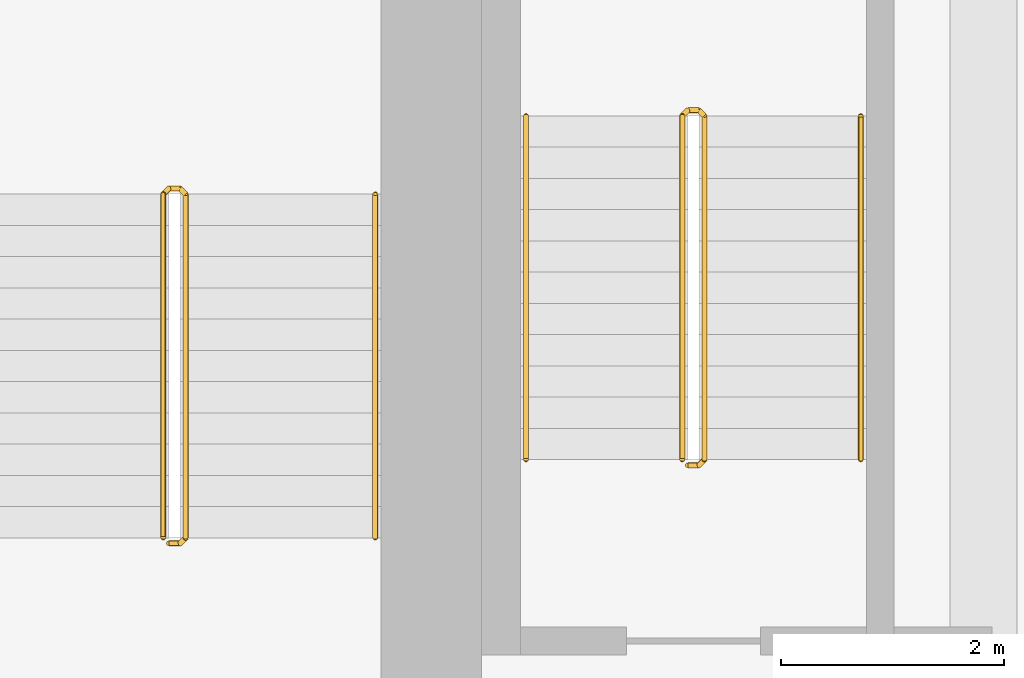
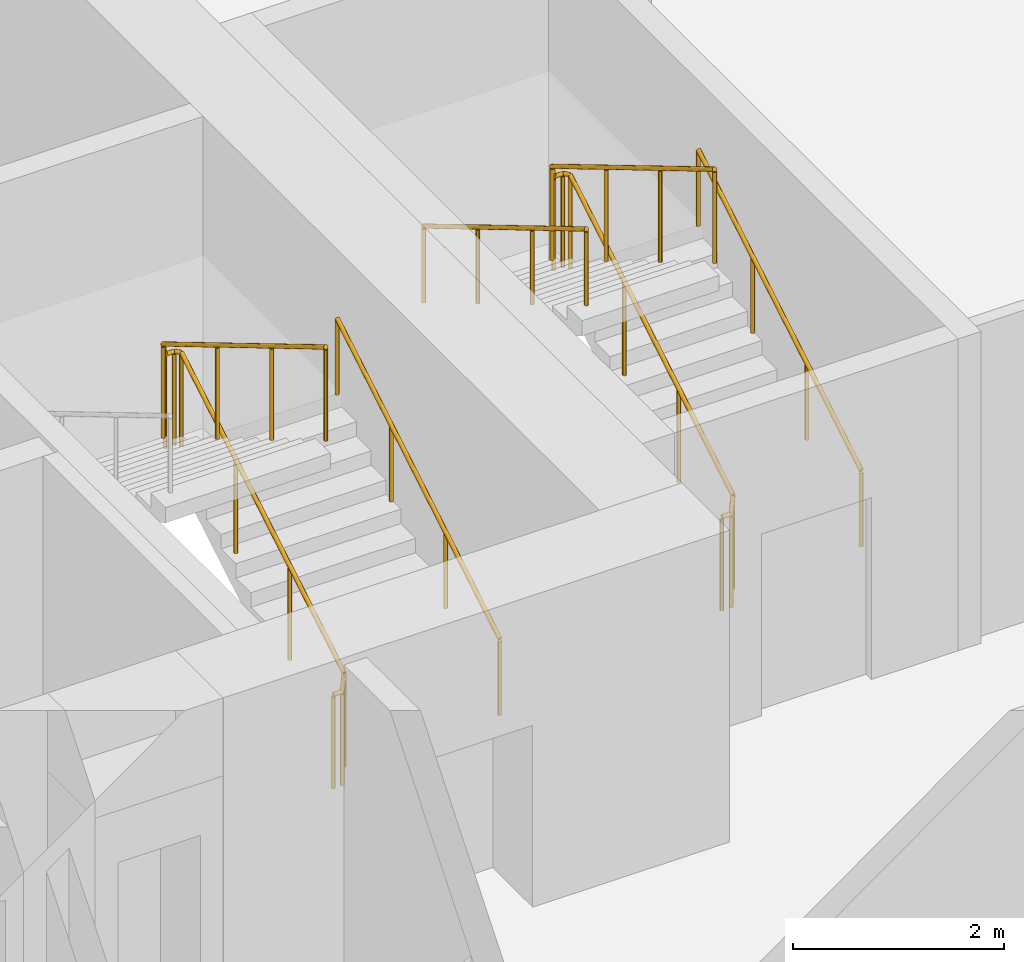
# One storey, part 19 of 19: 5 railings.
"""IFC4 building model written with IfcOpenShell, lengths in metres."""

import ifcopenshell
import ifcopenshell.guid

model = None  # the IFC model being written
_history = None  # IfcOwnerHistory: only IFC2X3 demands one
_inside = {}  # id of a spatial element -> (the spatial element, [elements in it])
_under = {}  # id of a project, library or spatial element -> (it, [spatial elements below it])
_declared = {}  # id of a project -> (the project, [libraries it declares])
_typed = {}  # id of a type object -> (the type object, [elements of that type])
_made_of = {}  # id of a material, layer set ... -> (it, [elements and type objects made of it])


def new_model(schema):
    """Start an empty IFC model of exactly this schema.

    Asked for "IFC4X3", IfcOpenShell would pick the latest addendum, in which some entities
    have other attributes; the version numbers below select the first issue.
    IFC2X3 requires an IfcOwnerHistory on every rooted entity: one is made here for all.
    """
    global model, _history
    if schema == "IFC4X3":
        model = ifcopenshell.file(schema_version=(4, 3, 0, 0))
    else:
        model = ifcopenshell.file(schema=schema)
    _inside.clear()
    _under.clear()
    _declared.clear()
    _typed.clear()
    _made_of.clear()
    _history = None
    if model.schema == "IFC2X3":
        org = make("IfcOrganization", Name="unknown")
        user = make(
            "IfcPersonAndOrganization",
            ThePerson=make("IfcPerson", FamilyName="unknown"),
            TheOrganization=org,
        )
        app = make(
            "IfcApplication",
            ApplicationDeveloper=org,
            Version="unknown",
            ApplicationFullName="unknown",
            ApplicationIdentifier="unknown",
        )
        _history = make(
            "IfcOwnerHistory",
            OwningUser=user,
            OwningApplication=app,
            ChangeAction="ADDED",
            CreationDate=0,
        )
    return model


def make(cls, **values):
    """One entity of the class cls with the attributes given. An attribute that is None is left unset."""
    return model.create_entity(
        cls, **{name: value for name, value in values.items() if value is not None}
    )


def rooted(cls, **values):
    """An entity with a GlobalId (a new one), such as an element, a storey or a relation."""
    return make(cls, GlobalId=ifcopenshell.guid.new(), OwnerHistory=_history, **values)


def si_unit(unit_type, name, prefix=None):
    """IfcSIUnit, for example si_unit("LENGTHUNIT", "METRE", prefix="MILLI")."""
    return make("IfcSIUnit", UnitType=unit_type, Prefix=prefix, Name=name)


def assignment(units):
    """IfcUnitAssignment: the units of a project."""
    return None if units is None else make("IfcUnitAssignment", Units=units)


def point(xyz):
    """IfcCartesianPoint."""
    return None if xyz is None else make("IfcCartesianPoint", Coordinates=xyz)


def direction(xyz):
    """IfcDirection."""
    return None if xyz is None else make("IfcDirection", DirectionRatios=xyz)


def frame(location, z_axis=None, x_axis=None):
    """IfcAxis2Placement3D, a coordinate frame: its origin and axes. An axis left out is left unset."""
    return make(
        "IfcAxis2Placement3D",
        Location=point(location),
        Axis=direction(z_axis),
        RefDirection=direction(x_axis),
    )


def frame_2d(location, x_axis=None):
    """IfcAxis2Placement2D, a coordinate frame in the plane: its origin and x axis."""
    return make(
        "IfcAxis2Placement2D", Location=point(location), RefDirection=direction(x_axis)
    )


def origin():
    """The frame at (0, 0, 0) with its axes left unset."""
    return frame((0.0, 0.0, 0.0))


def origin_2d():
    """The frame at (0, 0) in the plane with its x axis left unset."""
    return frame_2d((0.0, 0.0))


def place(relative_to, where):
    """IfcLocalPlacement: puts the frame where relative to a parent placement (None: the world)."""
    return make(
        "IfcLocalPlacement", PlacementRelTo=relative_to, RelativePlacement=where
    )


def context(
    kind, dimensions, precision=None, world=None, true_north=None, identifier=None
):
    """IfcGeometricRepresentationContext, for example the 3D "Model" context."""
    return make(
        "IfcGeometricRepresentationContext",
        ContextIdentifier=identifier,
        ContextType=kind,
        CoordinateSpaceDimension=dimensions,
        Precision=precision,
        WorldCoordinateSystem=world,
        TrueNorth=true_north,
    )


def subcontext(parent, identifier, kind, view, scale=None):
    """IfcGeometricRepresentationSubContext, for example "Body" below "Model"."""
    return make(
        "IfcGeometricRepresentationSubContext",
        ContextIdentifier=identifier,
        ContextType=kind,
        ParentContext=parent,
        TargetScale=scale,
        TargetView=view,
    )


def project(units=None, contexts=None):
    """IfcProject with its units and contexts."""
    return rooted(
        "IfcProject",
        Name="project",
        RepresentationContexts=contexts,
        UnitsInContext=assignment(units),
    )


def spatial(cls, under=None, at=None, **own):
    """A site, building, storey or space (cls), placed at a placement, below another one or the project."""
    s = rooted(cls, ObjectPlacement=at, **own)
    if under is not None:
        _under.setdefault(under.id(), (under, []))[1].append(s)
    return s


def profile(cls, at=None, kind="AREA", **sizes):
    """A parametric profile (cls). Its sizes go by their IFC names, for example OverallWidth=200.0."""
    return make(cls, ProfileType=kind, Position=at, **sizes)


def circle(**sizes):
    """IfcCircleProfileDef."""
    return profile("IfcCircleProfileDef", **sizes)


def extrude(swept, where, along, depth):
    """IfcExtrudedAreaSolid: the profile swept, set in the frame where, extruded along a direction by depth."""
    return make(
        "IfcExtrudedAreaSolid",
        SweptArea=swept,
        Position=where,
        ExtrudedDirection=direction(along),
        Depth=depth,
    )


def shape(context_of_items, identifier, shape_type, items):
    """IfcShapeRepresentation: the items that make up one representation, for example the "Body"."""
    return make(
        "IfcShapeRepresentation",
        ContextOfItems=context_of_items,
        RepresentationIdentifier=identifier,
        RepresentationType=shape_type,
        Items=items,
    )


def material(Name=None, Category=None):
    """IfcMaterial."""
    return make("IfcMaterial", Name=Name, Category=Category)


def made_of(thing, what):
    """Note that an element or type object is made of a material, layer set ...; save() writes the relation."""
    if what is not None:
        _made_of.setdefault(what.id(), (what, []))[1].append(thing)
    return thing


def type_object(cls, material=None, **own):
    """A type object (cls), such as IfcWallType, which elements share."""
    return made_of(rooted(cls, **own), material)


def element(
    cls,
    number,
    at=None,
    inside=None,
    cuts=None,
    type_object=None,
    material=None,
    context=None,
    identifier="Body",
    shape_type=None,
    held_by="IfcProductDefinitionShape",
    body=None,
    shapes=None,
    **own,
):
    """One element of the class cls, such as IfcWall. Its Tag is "e" and its number.

    at: its placement. inside: the storey or other place that contains it. cuts: it is an
    opening in that element (IfcRelVoidsElement). A single representation is given by context,
    identifier, shape_type and body (its items); several are given by shapes. held_by: the class
    of the entity that holds the representations. save() writes the other relations.
    """
    e = rooted(cls, Tag="e%d" % number, ObjectPlacement=at, **own)
    if body is not None:
        shapes = [shape(context, identifier, shape_type, body)]
    if shapes is not None:
        e.Representation = make(held_by, Representations=shapes)
    if inside is not None:
        _inside.setdefault(inside.id(), (inside, []))[1].append(e)
    if cuts is not None:
        rooted(
            "IfcRelVoidsElement", RelatingBuildingElement=cuts, RelatedOpeningElement=e
        )
    if type_object is not None:
        _typed.setdefault(type_object.id(), (type_object, []))[1].append(e)
    return made_of(e, material)


def aggregate(whole, parts):
    """IfcRelAggregates: a whole, such as a stair, and the parts it consists of."""
    return rooted("IfcRelAggregates", RelatingObject=whole, RelatedObjects=parts)


def save(model, path):
    """Write the relations noted so far, then the file.

    IfcRelAggregates (storeys below a building ...), IfcRelContainedInSpatialStructure (elements
    in a storey), IfcRelDefinesByType, IfcRelAssociatesMaterial and IfcRelDeclares: one each for
    every whole, place, type object, material and project.
    """
    for whole, parts in _under.values():
        aggregate(whole, parts)
    for where, things in _inside.values():
        rooted(
            "IfcRelContainedInSpatialStructure",
            RelatedElements=things,
            RelatingStructure=where,
        )
    for kind, things in _typed.values():
        rooted("IfcRelDefinesByType", RelatedObjects=things, RelatingType=kind)
    for what, things in _made_of.values():
        rooted("IfcRelAssociatesMaterial", RelatedObjects=things, RelatingMaterial=what)
    for by, libraries in _declared.values():
        rooted("IfcRelDeclares", RelatingContext=by, RelatedDefinitions=libraries)
    model.write(path)


model = new_model("IFC4")

# Units and contexts
model_context = context("Model", 3, precision=1e-05, world=origin(), true_north=direction((0.0, 1.0)))
body_context = subcontext(model_context, "Body", "Model", "MODEL_VIEW")
ifc_project = project(units=[si_unit("LENGTHUNIT", "METRE"), si_unit("AREAUNIT", "SQUARE_METRE"), si_unit("VOLUMEUNIT", "CUBIC_METRE"), si_unit("PLANEANGLEUNIT", "RADIAN"), si_unit("MASSUNIT", "GRAM", prefix="KILO")], contexts=[model_context])

# Site, building, storey
site_placement = place(None, origin())
site = spatial("IfcSite", under=ifc_project, at=site_placement, CompositionType="ELEMENT")
building_placement = place(site_placement, origin())
building = spatial("IfcBuilding", under=site, at=building_placement, Name="Kilnfold Tower and Market Hall", CompositionType="ELEMENT")
storey_placement = place(building_placement, frame((0.0, 0.0, 124.60009765625)))
storey = spatial("IfcBuildingStorey", under=building, at=storey_placement, Name="L29", CompositionType="ELEMENT", Elevation=124.60009765625)

# Railings
ifc_material_1 = material(Name="Stainless steel 316", Category="steel")
railing_type_1 = type_object("IfcRailingType", Name="CORE STAIR GUARD 1100", PredefinedType="GUARDRAIL", material=ifc_material_1)
railing_1_placement = place(storey_placement, frame((15.199951171875, 10.75, 0.0)))
element("IfcRailing", 1, at=railing_1_placement, inside=storey, type_object=railing_type_1, Name="L29 ST2 stair guard 1", PredefinedType="GUARDRAIL", context=body_context, shape_type="SweptSolid", body=[
    extrude(circle(Radius=0.02392578125, at=origin_2d()), frame((0.0, 0.0, 1.076171875), z_axis=(1.0, 0.0, 0.0), x_axis=(0.0, 1.0, 0.0)), (0.0, 0.0, 1.0), 0.10009765625),
    extrude(circle(Radius=0.02392578125, at=origin_2d()), frame((0.10009765625, 0.0, 1.076171875), z_axis=(0.27662974545, 0.27662974545, 0.920299933644), x_axis=(-0.707106781187, 0.707106781187, 0.0)), (0.0, 0.0, 1.0), 0.180908203125),
    extrude(circle(Radius=0.02392578125, at=origin_2d()), frame((0.150146484375, 0.050048828125, 1.24267578125), z_axis=(0.0, 0.859260807169, 0.511537745687), x_axis=(-1.0, 0.0, 0.0)), (0.0, 0.0, 1.0), 3.584228515625),
    extrude(circle(Radius=0.02392578125, at=origin_2d()), frame((0.150146484375, 3.1298828125, 3.076171875), z_axis=(-0.707106781187, 0.707106781187, 0.0), x_axis=(-0.707106781187, -0.707106781187, 0.0)), (0.0, 0.0, 1.0), 0.07080078125),
    extrude(circle(Radius=0.02392578125, at=origin_2d()), frame((0.10009765625, 3.179931640625, 3.076171875), z_axis=(-1.0, 0.0, 0.0), x_axis=(0.0, -1.0, 0.0)), (0.0, 0.0, 1.0), 0.10009765625),
    extrude(circle(Radius=0.02392578125, at=origin_2d()), frame((0.0, 3.179931640625, 3.076171875), z_axis=(-0.27662974545, -0.27662974545, 0.920299933644), x_axis=(0.707106781187, -0.707106781187, 0.0)), (0.0, 0.0, 1.0), 0.180908203125),
    extrude(circle(Radius=0.02392578125, at=origin_2d()), frame((-0.050048828125, 3.1298828125, 3.24267578125), z_axis=(0.0, -0.859260807169, 0.511537745687), x_axis=(1.0, 0.0, 0.0)), (0.0, 0.0, 1.0), 3.584228515625),
    extrude(circle(Radius=0.02099609375, at=origin_2d()), origin(), (0.0, 0.0, 1.0), 1.052001953125),
    extrude(circle(Radius=0.02099609375, at=origin_2d()), frame((0.10009765625, 0.0, 0.0)), (0.0, 0.0, 1.0), 1.052001953125),
    extrude(circle(Radius=0.02099609375, at=origin_2d()), frame((0.150146484375, 0.050048828125, 0.16650390625)), (0.0, 0.0, 1.0), 1.052001953125),
    extrude(circle(Radius=0.02099609375, at=origin_2d()), frame((0.150146484375, 1.07666015625, 0.777587890625)), (0.0, 0.0, 1.0), 1.052001953125),
    extrude(circle(Radius=0.02099609375, at=origin_2d()), frame((0.150146484375, 2.103271484375, 1.388916015625)), (0.0, 0.0, 1.0), 1.052001953125),
    extrude(circle(Radius=0.02099609375, at=origin_2d()), frame((0.150146484375, 3.1298828125, 2.0)), (0.0, 0.0, 1.0), 1.052001953125),
    extrude(circle(Radius=0.02099609375, at=origin_2d()), frame((0.10009765625, 3.179931640625, 2.0)), (0.0, 0.0, 1.0), 1.052001953125),
    extrude(circle(Radius=0.02099609375, at=origin_2d()), frame((0.0, 3.179931640625, 2.0)), (0.0, 0.0, 1.0), 1.052001953125),
    extrude(circle(Radius=0.02099609375, at=origin_2d()), frame((-0.050048828125, 3.1298828125, 2.16650390625)), (0.0, 0.0, 1.0), 1.052001953125),
    extrude(circle(Radius=0.02099609375, at=origin_2d()), frame((-0.050048828125, 2.103271484375, 2.777587890625)), (0.0, 0.0, 1.0), 1.052001953125),
    extrude(circle(Radius=0.02099609375, at=origin_2d()), frame((-0.050048828125, 1.07666015625, 3.388916015625)), (0.0, 0.0, 1.0), 1.052001953125),
    extrude(circle(Radius=0.02099609375, at=origin_2d()), frame((-0.050048828125, 0.050048828125, 4.0)), (0.0, 0.0, 1.0), 1.052001953125),
])
railing_2_placement = place(storey_placement, frame((19.85009765625, 11.449951171875, 0.0)))
element("IfcRailing", 2, at=railing_2_placement, inside=storey, type_object=railing_type_1, Name="L29 ST5 stair guard 1", PredefinedType="GUARDRAIL", context=body_context, shape_type="SweptSolid", body=[
    extrude(circle(Radius=0.02392578125, at=origin_2d()), frame((0.0, 0.0, 1.076171875), z_axis=(1.0, 0.0, 0.0), x_axis=(0.0, 1.0, 0.0)), (0.0, 0.0, 1.0), 0.099853515625),
    extrude(circle(Radius=0.02392578125, at=origin_2d()), frame((0.099853515625, 0.0, 1.076171875), z_axis=(0.27662974545, 0.27662974545, 0.920299933644), x_axis=(-0.707106781187, 0.707106781187, 0.0)), (0.0, 0.0, 1.0), 0.180908203125),
    extrude(circle(Radius=0.02392578125, at=origin_2d()), frame((0.14990234375, 0.050048828125, 1.24267578125), z_axis=(0.0, 0.85927862911, 0.511507807912), x_axis=(-1.0, 0.0, 0.0)), (0.0, 0.0, 1.0), 3.58447265625),
    extrude(circle(Radius=0.02392578125, at=origin_2d()), frame((0.14990234375, 3.130126953125, 3.076171875), z_axis=(-0.708833529934, 0.705375805398, 0.0), x_axis=(-0.705375805398, -0.708833529934, 0.0)), (0.0, 0.0, 1.0), 0.070556640625),
    extrude(circle(Radius=0.02392578125, at=origin_2d()), frame((0.099853515625, 3.179931640625, 3.076171875), z_axis=(-1.0, 0.0, 0.0), x_axis=(0.0, -1.0, 0.0)), (0.0, 0.0, 1.0), 0.099853515625),
    extrude(circle(Radius=0.02392578125, at=origin_2d()), frame((0.0, 3.179931640625, 3.076171875), z_axis=(-0.276732813696, -0.275382897532, 0.920642824102), x_axis=(0.705375805398, -0.708833529934, 0.0)), (0.0, 0.0, 1.0), 0.180908203125),
    extrude(circle(Radius=0.02392578125, at=origin_2d()), frame((-0.050048828125, 3.130126953125, 3.24267578125), z_axis=(0.0, -0.85927862911, 0.511507807912), x_axis=(1.0, 0.0, 0.0)), (0.0, 0.0, 1.0), 3.58447265625),
    extrude(circle(Radius=0.02099609375, at=origin_2d()), origin(), (0.0, 0.0, 1.0), 1.052001953125),
    extrude(circle(Radius=0.02099609375, at=origin_2d()), frame((0.099853515625, 0.0, 0.0)), (0.0, 0.0, 1.0), 1.052001953125),
    extrude(circle(Radius=0.02099609375, at=origin_2d()), frame((0.14990234375, 0.050048828125, 0.16650390625)), (0.0, 0.0, 1.0), 1.052001953125),
    extrude(circle(Radius=0.02099609375, at=origin_2d()), frame((0.14990234375, 1.07666015625, 0.777587890625)), (0.0, 0.0, 1.0), 1.052001953125),
    extrude(circle(Radius=0.02099609375, at=origin_2d()), frame((0.14990234375, 2.103515625, 1.388916015625)), (0.0, 0.0, 1.0), 1.052001953125),
    extrude(circle(Radius=0.02099609375, at=origin_2d()), frame((0.14990234375, 3.130126953125, 2.0)), (0.0, 0.0, 1.0), 1.052001953125),
    extrude(circle(Radius=0.02099609375, at=origin_2d()), frame((0.099853515625, 3.179931640625, 2.0)), (0.0, 0.0, 1.0), 1.052001953125),
    extrude(circle(Radius=0.02099609375, at=origin_2d()), frame((0.0, 3.179931640625, 2.0)), (0.0, 0.0, 1.0), 1.052001953125),
    extrude(circle(Radius=0.02099609375, at=origin_2d()), frame((-0.050048828125, 3.130126953125, 2.16650390625)), (0.0, 0.0, 1.0), 1.052001953125),
    extrude(circle(Radius=0.02099609375, at=origin_2d()), frame((-0.050048828125, 2.103515625, 2.777587890625)), (0.0, 0.0, 1.0), 1.052001953125),
    extrude(circle(Radius=0.02099609375, at=origin_2d()), frame((-0.050048828125, 1.07666015625, 3.388916015625)), (0.0, 0.0, 1.0), 1.052001953125),
    extrude(circle(Radius=0.02099609375, at=origin_2d()), frame((-0.050048828125, 0.050048828125, 4.0)), (0.0, 0.0, 1.0), 1.052001953125),
])
ifc_material_2 = material(Name="Stainless steel 316", Category="steel")
railing_type_2 = type_object("IfcRailingType", Name="CORE STAIR HANDRAIL 900", PredefinedType="HANDRAIL", material=ifc_material_2)
railing_3_placement = place(storey_placement, frame((17.050048828125, 10.800048828125, 0.16650390625)))
element("IfcRailing", 3, at=railing_3_placement, inside=storey, type_object=railing_type_2, Name="L29 ST2 stair handrail 1", PredefinedType="HANDRAIL", context=body_context, shape_type="SweptSolid", body=[
    extrude(circle(Radius=0.02392578125, at=origin_2d()), frame((0.0, 0.0, 0.8759765625), z_axis=(0.0, 0.859260807169, 0.511537745687), x_axis=(-1.0, 0.0, 0.0)), (0.0, 0.0, 1.0), 3.584228515625),
    extrude(circle(Radius=0.02099609375, at=origin_2d()), origin(), (0.0, 0.0, 1.0), 0.851806640625),
    extrude(circle(Radius=0.02099609375, at=origin_2d()), frame((0.0, 1.026611328125, 0.611083984375)), (0.0, 0.0, 1.0), 0.851806640625),
    extrude(circle(Radius=0.02099609375, at=origin_2d()), frame((0.0, 2.05322265625, 1.222412109375)), (0.0, 0.0, 1.0), 0.851806640625),
    extrude(circle(Radius=0.02099609375, at=origin_2d()), frame((0.0, 3.079833984375, 1.83349609375)), (0.0, 0.0, 1.0), 0.851806640625),
])
railing_4_placement = place(storey_placement, frame((21.39990234375, 11.5, 0.16650390625)))
element("IfcRailing", 4, at=railing_4_placement, inside=storey, type_object=railing_type_2, Name="L29 ST5 stair handrail 1", PredefinedType="HANDRAIL", context=body_context, shape_type="SweptSolid", body=[
    extrude(circle(Radius=0.02392578125, at=origin_2d()), frame((0.0, 0.0, 0.8759765625), z_axis=(0.0, 0.85927862911, 0.511507807912), x_axis=(-1.0, 0.0, 0.0)), (0.0, 0.0, 1.0), 3.58447265625),
    extrude(circle(Radius=0.02099609375, at=origin_2d()), origin(), (0.0, 0.0, 1.0), 0.851806640625),
    extrude(circle(Radius=0.02099609375, at=origin_2d()), frame((0.0, 1.026611328125, 0.611083984375)), (0.0, 0.0, 1.0), 0.851806640625),
    extrude(circle(Radius=0.02099609375, at=origin_2d()), frame((0.0, 2.053466796875, 1.222412109375)), (0.0, 0.0, 1.0), 0.851806640625),
    extrude(circle(Radius=0.02099609375, at=origin_2d()), frame((0.0, 3.080078125, 1.83349609375)), (0.0, 0.0, 1.0), 0.851806640625),
])
railing_5_placement = place(storey_placement, frame((18.39990234375, 14.580078125, 2.16650390625)))
element("IfcRailing", 5, at=railing_5_placement, inside=storey, type_object=railing_type_2, Name="L29 ST5 stair handrail 2", PredefinedType="HANDRAIL", context=body_context, shape_type="SweptSolid", body=[
    extrude(circle(Radius=0.02392578125, at=origin_2d()), frame((0.0, 0.0, 0.8759765625), z_axis=(0.0, -0.85927862911, 0.511507807912), x_axis=(1.0, 0.0, 0.0)), (0.0, 0.0, 1.0), 3.58447265625),
    extrude(circle(Radius=0.02099609375, at=origin_2d()), origin(), (0.0, 0.0, 1.0), 0.851806640625),
    extrude(circle(Radius=0.02099609375, at=origin_2d()), frame((0.0, -1.026611328125, 0.611083984375)), (0.0, 0.0, 1.0), 0.851806640625),
    extrude(circle(Radius=0.02099609375, at=origin_2d()), frame((0.0, -2.053466796875, 1.222412109375)), (0.0, 0.0, 1.0), 0.851806640625),
    extrude(circle(Radius=0.02099609375, at=origin_2d()), frame((0.0, -3.080078125, 1.83349609375)), (0.0, 0.0, 1.0), 0.851806640625),
])

save(model, "model.ifc")
